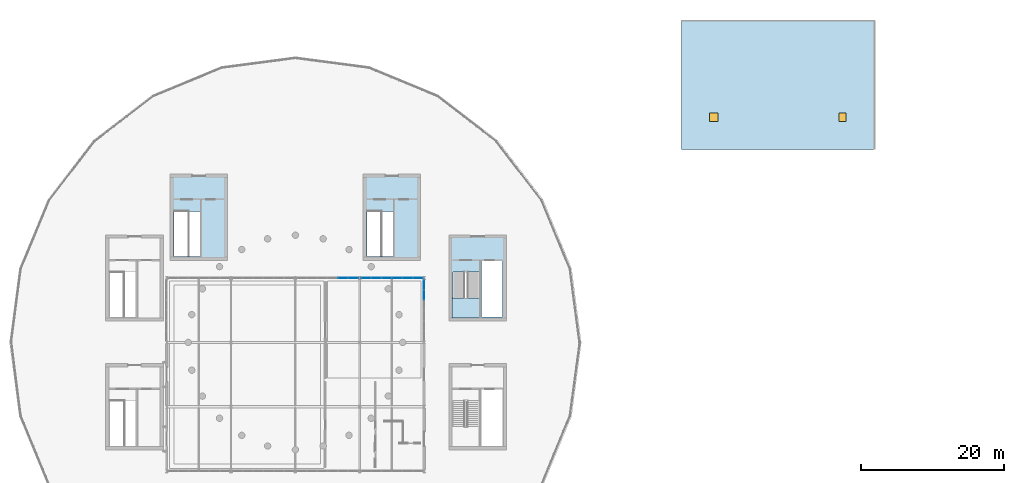
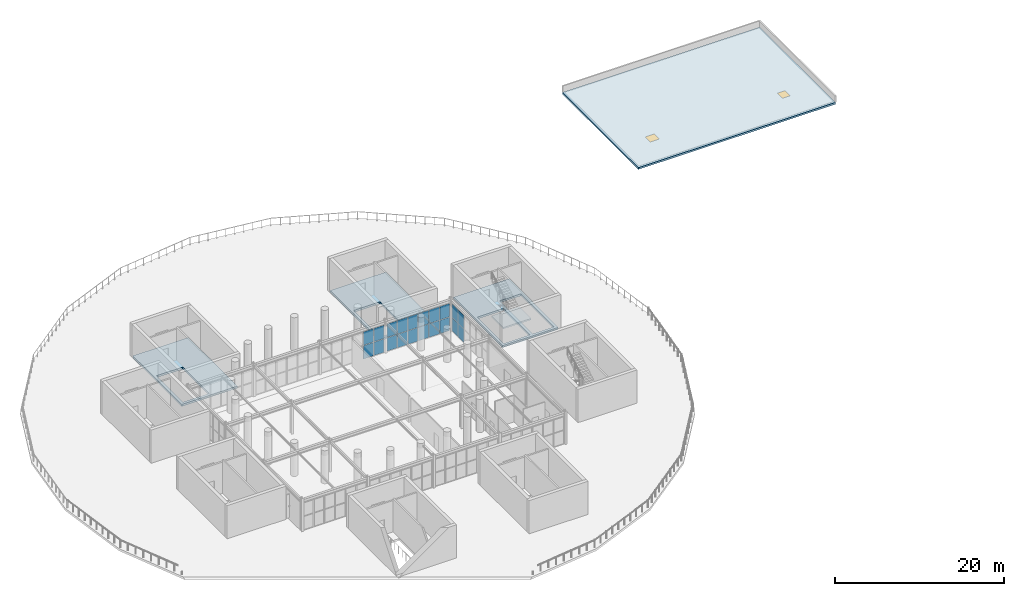
# One storey, part 19 of 29: 20 plates, 5 slabs, 2 doors, 2 openings, 4 elements without a shape of their own.
"""IFC4 building model written with IfcOpenShell, lengths in metres."""

from ifc_helpers import new_model, si_unit, direction, frame, origin, origin_2d, place, context, subcontext, project, spatial, polyline, rectangle, outline, extrude, material, layer, layer_set, type_object, element, fill, aggregate, save


model = new_model("IFC4")

# Units and contexts
model_context = context("Model", 3, precision=1e-05, world=origin(), true_north=direction((0.0, 1.0)))
body_context = subcontext(model_context, "Body", "Model", "MODEL_VIEW")
ifc_project = project(units=[si_unit("LENGTHUNIT", "METRE"), si_unit("AREAUNIT", "SQUARE_METRE"), si_unit("VOLUMEUNIT", "CUBIC_METRE"), si_unit("PLANEANGLEUNIT", "RADIAN"), si_unit("MASSUNIT", "GRAM", prefix="KILO")], contexts=[model_context])

# Site, building, storey
site_placement = place(None, origin())
site = spatial("IfcSite", under=ifc_project, at=site_placement, CompositionType="ELEMENT")
building_placement = place(site_placement, origin())
building = spatial("IfcBuilding", under=site, at=building_placement, Name="Dornveld Trade and Exhibition Forum", CompositionType="ELEMENT")
storey_placement = place(building_placement, frame((0.0, 0.0, 21.60009765625)))
storey = spatial("IfcBuildingStorey", under=building, at=storey_placement, Name="L04", CompositionType="ELEMENT", Elevation=21.60009765625)

# Curtain wall, plates
ifc_material_1 = material(Name="Dark-bronze anodised aluminium and low-E glass", Category="aluminium")
ifc_layer_1 = layer(ifc_material_1, 0.154052734375)
ifc_layer_set_1 = layer_set([ifc_layer_1], Name="Dark-bronze anodised aluminium and low-E glass")
curtain_wall_type_1 = type_object("IfcCurtainWallType", Name="CW-SYS-04", PredefinedType="USERDEFINED", material=ifc_layer_set_1)
curtain_wall_1_placement = place(storey_placement, origin())
curtain_wall_1 = element("IfcCurtainWall", 1, at=curtain_wall_1_placement, inside=storey, type_object=curtain_wall_type_1, Name="L04 unitised curtain wall 130", ObjectType="UNITISED_CURTAIN_WALL", PredefinedType="USERDEFINED")
ifc_material_2 = material(Name="Double-glazed low-E solar control glass", Category="glass")
ifc_layer_2 = layer(ifc_material_2, 0.028076171875)
ifc_layer_set_2 = layer_set([ifc_layer_2], Name="Double-glazed low-E solar control glass")
plate_type_1 = type_object("IfcPlateType", Name="CW-PNL-02", PredefinedType="CURTAIN_PANEL", material=ifc_layer_set_2)
plate_1_placement = place(storey_placement, frame((134.11328125, 90.0, 0.055908203125), z_axis=(0.0, 0.0, 1.0), x_axis=(-1.0, 0.0, 0.0)))
plate_1 = element("IfcPlate", 2, at=plate_1_placement, type_object=plate_type_1, Name="CW-04 panel 1.1", PredefinedType="CURTAIN_PANEL", context=body_context, shape_type="SweptSolid", body=[
    extrude(rectangle(XDim=1.361328125, YDim=0.028076171875, at=origin_2d()), origin(), (0.0, 0.0, 1.0), 1.94189453125),
])
plate_2_placement = place(storey_placement, frame((134.11328125, 90.0, 2.057861328125), z_axis=(0.0, 0.0, 1.0), x_axis=(-1.0, 0.0, 0.0)))
plate_2 = element("IfcPlate", 3, at=plate_2_placement, type_object=plate_type_1, Name="CW-04 panel 1.2", PredefinedType="CURTAIN_PANEL", context=body_context, shape_type="SweptSolid", body=[
    extrude(rectangle(XDim=1.361328125, YDim=0.028076171875, at=origin_2d()), origin(), (0.0, 0.0, 1.0), 1.94189453125),
])
plate_3_placement = place(storey_placement, frame((132.677001953125, 90.0, 0.055908203125), z_axis=(0.0, 0.0, 1.0), x_axis=(-1.0, 0.0, 0.0)))
plate_3 = element("IfcPlate", 4, at=plate_3_placement, type_object=plate_type_1, Name="CW-04 panel 2.1", PredefinedType="CURTAIN_PANEL", context=body_context, shape_type="SweptSolid", body=[
    extrude(rectangle(XDim=1.391357421875, YDim=0.028076171875, at=origin_2d()), origin(), (0.0, 0.0, 1.0), 1.94189453125),
])
plate_4_placement = place(storey_placement, frame((132.677001953125, 90.0, 2.057861328125), z_axis=(0.0, 0.0, 1.0), x_axis=(-1.0, 0.0, 0.0)))
plate_4 = element("IfcPlate", 5, at=plate_4_placement, type_object=plate_type_1, Name="CW-04 panel 2.2", PredefinedType="CURTAIN_PANEL", context=body_context, shape_type="SweptSolid", body=[
    extrude(rectangle(XDim=1.391357421875, YDim=0.028076171875, at=origin_2d()), origin(), (0.0, 0.0, 1.0), 1.94189453125),
])
plate_5_placement = place(storey_placement, frame((131.2255859375, 90.0, 0.055908203125), z_axis=(0.0, 0.0, 1.0), x_axis=(-1.0, 0.0, 0.0)))
plate_5 = element("IfcPlate", 6, at=plate_5_placement, type_object=plate_type_1, Name="CW-04 panel 3.1", PredefinedType="CURTAIN_PANEL", context=body_context, shape_type="SweptSolid", body=[
    extrude(rectangle(XDim=1.391357421875, YDim=0.028076171875, at=origin_2d()), origin(), (0.0, 0.0, 1.0), 1.94189453125),
])
plate_6_placement = place(storey_placement, frame((131.2255859375, 90.0, 2.057861328125), z_axis=(0.0, 0.0, 1.0), x_axis=(-1.0, 0.0, 0.0)))
plate_6 = element("IfcPlate", 7, at=plate_6_placement, type_object=plate_type_1, Name="CW-04 panel 3.2", PredefinedType="CURTAIN_PANEL", context=body_context, shape_type="SweptSolid", body=[
    extrude(rectangle(XDim=1.391357421875, YDim=0.028076171875, at=origin_2d()), origin(), (0.0, 0.0, 1.0), 1.94189453125),
])
plate_7_placement = place(storey_placement, frame((129.7744140625, 90.0, 0.055908203125), z_axis=(0.0, 0.0, 1.0), x_axis=(-1.0, 0.0, 0.0)))
plate_7 = element("IfcPlate", 8, at=plate_7_placement, type_object=plate_type_1, Name="CW-04 panel 4.1", PredefinedType="CURTAIN_PANEL", context=body_context, shape_type="SweptSolid", body=[
    extrude(rectangle(XDim=1.391357421875, YDim=0.028076171875, at=origin_2d()), origin(), (0.0, 0.0, 1.0), 1.94189453125),
])
plate_8_placement = place(storey_placement, frame((129.7744140625, 90.0, 2.057861328125), z_axis=(0.0, 0.0, 1.0), x_axis=(-1.0, 0.0, 0.0)))
plate_8 = element("IfcPlate", 9, at=plate_8_placement, type_object=plate_type_1, Name="CW-04 panel 4.2", PredefinedType="CURTAIN_PANEL", context=body_context, shape_type="SweptSolid", body=[
    extrude(rectangle(XDim=1.391357421875, YDim=0.028076171875, at=origin_2d()), origin(), (0.0, 0.0, 1.0), 1.94189453125),
])
plate_9_placement = place(storey_placement, frame((128.322998046875, 90.0, 0.055908203125), z_axis=(0.0, 0.0, 1.0), x_axis=(-1.0, 0.0, 0.0)))
plate_9 = element("IfcPlate", 10, at=plate_9_placement, type_object=plate_type_1, Name="CW-04 panel 5.1", PredefinedType="CURTAIN_PANEL", context=body_context, shape_type="SweptSolid", body=[
    extrude(rectangle(XDim=1.391357421875, YDim=0.028076171875, at=origin_2d()), origin(), (0.0, 0.0, 1.0), 1.94189453125),
])
plate_10_placement = place(storey_placement, frame((128.322998046875, 90.0, 2.057861328125), z_axis=(0.0, 0.0, 1.0), x_axis=(-1.0, 0.0, 0.0)))
plate_10 = element("IfcPlate", 11, at=plate_10_placement, type_object=plate_type_1, Name="CW-04 panel 5.2", PredefinedType="CURTAIN_PANEL", context=body_context, shape_type="SweptSolid", body=[
    extrude(rectangle(XDim=1.391357421875, YDim=0.028076171875, at=origin_2d()), origin(), (0.0, 0.0, 1.0), 1.94189453125),
])
plate_11_placement = place(storey_placement, frame((126.88671875, 90.0, 0.055908203125), z_axis=(0.0, 0.0, 1.0), x_axis=(-1.0, 0.0, 0.0)))
plate_11 = element("IfcPlate", 12, at=plate_11_placement, type_object=plate_type_1, Name="CW-04 panel 6.1", PredefinedType="CURTAIN_PANEL", context=body_context, shape_type="SweptSolid", body=[
    extrude(rectangle(XDim=1.361328125, YDim=0.028076171875, at=origin_2d()), origin(), (0.0, 0.0, 1.0), 1.94189453125),
])
plate_12_placement = place(storey_placement, frame((126.88671875, 90.0, 2.057861328125), z_axis=(0.0, 0.0, 1.0), x_axis=(-1.0, 0.0, 0.0)))
plate_12 = element("IfcPlate", 13, at=plate_12_placement, type_object=plate_type_1, Name="CW-04 panel 6.2", PredefinedType="CURTAIN_PANEL", context=body_context, shape_type="SweptSolid", body=[
    extrude(rectangle(XDim=1.361328125, YDim=0.028076171875, at=origin_2d()), origin(), (0.0, 0.0, 1.0), 1.94189453125),
])
aggregate(curtain_wall_1, [plate_1, plate_2, plate_3, plate_4, plate_5, plate_6, plate_7, plate_8, plate_9, plate_10, plate_11, plate_12])

ifc_material_3 = material(Name="Dark-bronze anodised aluminium and low-E glass", Category="aluminium")
ifc_layer_3 = layer(ifc_material_3, 0.156982421875)
ifc_layer_set_3 = layer_set([ifc_layer_3], Name="Dark-bronze anodised aluminium and low-E glass")
curtain_wall_type_2 = type_object("IfcCurtainWallType", Name="CW-SYS-05", PredefinedType="USERDEFINED", material=ifc_layer_set_3)
curtain_wall_2_placement = place(storey_placement, origin())
curtain_wall_2 = element("IfcCurtainWall", 14, at=curtain_wall_2_placement, inside=storey, type_object=curtain_wall_type_2, Name="L04 unitised curtain wall 131", ObjectType="UNITISED_CURTAIN_WALL", PredefinedType="USERDEFINED")
ifc_material_4 = material(Name="Double-glazed low-E solar control glass", Category="glass")
ifc_layer_4 = layer(ifc_material_4, 0.030029296875)
ifc_layer_set_4 = layer_set([ifc_layer_4], Name="Double-glazed low-E solar control glass")
plate_type_2 = type_object("IfcPlateType", Name="CW-PNL-03", PredefinedType="CURTAIN_PANEL", material=ifc_layer_set_4)
plate_13_placement = place(storey_placement, frame((135.0, 87.652099609375, 0.055908203125), z_axis=(0.0, 0.0, 1.0), x_axis=(0.0, 1.0, 0.0)))
plate_13 = element("IfcPlate", 15, at=plate_13_placement, type_object=plate_type_2, Name="CW-05 panel 5.1", PredefinedType="CURTAIN_PANEL", context=body_context, shape_type="SweptSolid", body=[
    extrude(rectangle(XDim=1.374755859375, YDim=0.030029296875, at=origin_2d()), origin(), (0.0, 0.0, 1.0), 1.94189453125),
])
plate_14_placement = place(storey_placement, frame((135.0, 87.652099609375, 2.057861328125), z_axis=(0.0, 0.0, 1.0), x_axis=(0.0, 1.0, 0.0)))
plate_14 = element("IfcPlate", 16, at=plate_14_placement, type_object=plate_type_2, Name="CW-05 panel 5.2", PredefinedType="CURTAIN_PANEL", context=body_context, shape_type="SweptSolid", body=[
    extrude(rectangle(XDim=1.374755859375, YDim=0.030029296875, at=origin_2d()), origin(), (0.0, 0.0, 1.0), 1.94189453125),
])
plate_15_placement = place(storey_placement, frame((135.0, 89.07177734375, 0.055908203125), z_axis=(0.0, 0.0, 1.0), x_axis=(0.0, 1.0, 0.0)))
plate_15 = element("IfcPlate", 17, at=plate_15_placement, type_object=plate_type_2, Name="CW-05 panel 6.1", PredefinedType="CURTAIN_PANEL", context=body_context, shape_type="SweptSolid", body=[
    extrude(rectangle(XDim=1.3447265625, YDim=0.030029296875, at=origin_2d()), origin(), (0.0, 0.0, 1.0), 1.94189453125),
])
plate_16_placement = place(storey_placement, frame((135.0, 89.07177734375, 2.057861328125), z_axis=(0.0, 0.0, 1.0), x_axis=(0.0, 1.0, 0.0)))
plate_16 = element("IfcPlate", 18, at=plate_16_placement, type_object=plate_type_2, Name="CW-05 panel 6.2", PredefinedType="CURTAIN_PANEL", context=body_context, shape_type="SweptSolid", body=[
    extrude(rectangle(XDim=1.3447265625, YDim=0.030029296875, at=origin_2d()), origin(), (0.0, 0.0, 1.0), 1.94189453125),
])
aggregate(curtain_wall_2, [plate_13, plate_14, plate_15, plate_16])

ifc_material_5 = material(Name="Dark-bronze anodised aluminium and low-E glass", Category="aluminium")
ifc_layer_5 = layer(ifc_material_5, 0.14794921875)
ifc_layer_set_5 = layer_set([ifc_layer_5], Name="Dark-bronze anodised aluminium and low-E glass")
curtain_wall_type_3 = type_object("IfcCurtainWallType", Name="CW-SYS-02", PredefinedType="USERDEFINED", material=ifc_layer_set_5)
curtain_wall_3_placement = place(storey_placement, origin())
curtain_wall_3 = element("IfcCurtainWall", 19, at=curtain_wall_3_placement, inside=storey, type_object=curtain_wall_type_3, Name="L04 unitised curtain wall 128", ObjectType="UNITISED_CURTAIN_WALL", PredefinedType="USERDEFINED")
ifc_material_6 = material(Name="Double-glazed low-E solar control glass", Category="glass")
ifc_layer_6 = layer(ifc_material_6, 0.0400390625)
ifc_layer_set_6 = layer_set([ifc_layer_6], Name="Double-glazed low-E solar control glass")
plate_type_3 = type_object("IfcPlateType", Name="CW-PNL-08", PredefinedType="CURTAIN_PANEL", material=ifc_layer_set_6)
plate_17_placement = place(storey_placement, frame((125.11328125, 90.0, 0.055908203125), z_axis=(0.0, 0.0, 1.0), x_axis=(-1.0, 0.0, 0.0)))
plate_17 = element("IfcPlate", 20, at=plate_17_placement, type_object=plate_type_3, Name="CW-02 panel 1.1", PredefinedType="CURTAIN_PANEL", context=body_context, shape_type="SweptSolid", body=[
    extrude(rectangle(XDim=1.361328125, YDim=0.0400390625, at=origin_2d()), origin(), (0.0, 0.0, 1.0), 1.94189453125),
])
plate_18_placement = place(storey_placement, frame((125.11328125, 90.0, 2.057861328125), z_axis=(0.0, 0.0, 1.0), x_axis=(-1.0, 0.0, 0.0)))
plate_18 = element("IfcPlate", 21, at=plate_18_placement, type_object=plate_type_3, Name="CW-02 panel 1.2", PredefinedType="CURTAIN_PANEL", context=body_context, shape_type="SweptSolid", body=[
    extrude(rectangle(XDim=1.361328125, YDim=0.0400390625, at=origin_2d()), origin(), (0.0, 0.0, 1.0), 1.94189453125),
])
plate_19_placement = place(storey_placement, frame((123.677001953125, 90.0, 0.055908203125), z_axis=(0.0, 0.0, 1.0), x_axis=(-1.0, 0.0, 0.0)))
plate_19 = element("IfcPlate", 22, at=plate_19_placement, type_object=plate_type_3, Name="CW-02 panel 2.1", PredefinedType="CURTAIN_PANEL", context=body_context, shape_type="SweptSolid", body=[
    extrude(rectangle(XDim=1.391357421875, YDim=0.0400390625, at=origin_2d()), origin(), (0.0, 0.0, 1.0), 1.94189453125),
])
plate_20_placement = place(storey_placement, frame((123.677001953125, 90.0, 2.057861328125), z_axis=(0.0, 0.0, 1.0), x_axis=(-1.0, 0.0, 0.0)))
plate_20 = element("IfcPlate", 23, at=plate_20_placement, type_object=plate_type_3, Name="CW-02 panel 2.2", PredefinedType="CURTAIN_PANEL", context=body_context, shape_type="SweptSolid", body=[
    extrude(rectangle(XDim=1.391357421875, YDim=0.0400390625, at=origin_2d()), origin(), (0.0, 0.0, 1.0), 1.94189453125),
])
aggregate(curtain_wall_3, [plate_17, plate_18, plate_19, plate_20])

# Slabs
ifc_material_7 = material(Name="Concrete C40/50", Category="concrete")
ifc_layer_7 = layer(ifc_material_7, 0.2900390625)
ifc_layer_set_7 = layer_set([ifc_layer_7], Name="Concrete C40/50")
slab_type_1 = type_object("IfcSlabType", Name="SL-DISC-290", PredefinedType="FLOOR", material=ifc_layer_set_7)
slab_1_placement = place(storey_placement, frame((0.0, 0.0, -0.2900390625)))
element("IfcSlab", 24, at=slab_1_placement, inside=storey, type_object=slab_type_1, Name="L04 CORE-01 indoor core lobby slab", PredefinedType="FLOOR", context=body_context, shape_type="SweptSolid", body=[
    extrude(outline(polyline([(138.699951171875, 84.199951171875), (146.300048828125, 84.199951171875), (146.300048828125, 95.800048828125), (138.699951171875, 95.800048828125), (138.699951171875, 84.199951171875)]), holes=[polyline([(143.0, 84.550048828125), (145.949951171875, 84.550048828125), (145.949951171875, 92.39990234375), (143.0, 92.39990234375), (143.0, 84.550048828125)]), polyline([(139.050048828125, 84.550048828125), (142.64990234375, 84.550048828125), (142.64990234375, 90.830078125), (139.050048828125, 90.830078125), (139.050048828125, 84.550048828125)])]), origin(), (0.0, 0.0, 1.0), 0.2900390625),
])
slab_2_placement = place(storey_placement, frame((0.0, 0.0, -0.2900390625)))
element("IfcSlab", 25, at=slab_2_placement, inside=storey, type_object=slab_type_1, Name="L04 CORE-02 indoor core lobby slab", PredefinedType="FLOOR", context=body_context, shape_type="SweptSolid", body=[
    extrude(outline(polyline([(126.699951171875, 92.699951171875), (134.300048828125, 92.699951171875), (134.300048828125, 104.300048828125), (126.699951171875, 104.300048828125), (126.699951171875, 92.699951171875)]), holes=[polyline([(127.050048828125, 93.050048828125), (130.64990234375, 93.050048828125), (130.64990234375, 99.330078125), (127.050048828125, 99.330078125), (127.050048828125, 93.050048828125)])]), origin(), (0.0, 0.0, 1.0), 0.2900390625),
])
slab_3_placement = place(storey_placement, frame((0.0, 0.0, -0.2900390625)))
element("IfcSlab", 26, at=slab_3_placement, inside=storey, type_object=slab_type_1, Name="L04 CORE-03 indoor core lobby slab", PredefinedType="FLOOR", context=body_context, shape_type="SweptSolid", body=[
    extrude(outline(polyline([(99.699951171875, 92.699951171875), (107.300048828125, 92.699951171875), (107.300048828125, 104.300048828125), (99.699951171875, 104.300048828125), (99.699951171875, 92.699951171875)]), holes=[polyline([(100.050048828125, 93.050048828125), (103.64990234375, 93.050048828125), (103.64990234375, 99.330078125), (100.050048828125, 99.330078125), (100.050048828125, 93.050048828125)])]), origin(), (0.0, 0.0, 1.0), 0.2900390625),
])

# Stair, slab
ifc_material_8 = material(Name="Concrete C40/50", Category="concrete")
stair_type = type_object("IfcStairType", Name="ST-2RET-480A", PredefinedType="HALF_TURN_STAIR", material=ifc_material_8)
stair_placement = place(storey_placement, origin())
stair = element("IfcStair", 27, at=stair_placement, inside=storey, type_object=stair_type, Name="CORE-01 escape stair L04 to RF", PredefinedType="HALF_TURN_STAIR")
ifc_material_9 = material(Name="Concrete C40/50", Category="concrete")
ifc_layer_8 = layer(ifc_material_9, 0.199951171875)
ifc_layer_set_8 = layer_set([ifc_layer_8], Name="Concrete C40/50")
slab_type_2 = type_object("IfcSlabType", Name="SL-LAND-200", PredefinedType="LANDING", material=ifc_layer_set_8)
slab_4_placement = place(storey_placement, frame((0.0, 0.0, 2.199951171875)))
slab_4 = element("IfcSlab", 28, at=slab_4_placement, type_object=slab_type_2, Name="ST-01-L04 landing 1", PredefinedType="LANDING", context=body_context, shape_type="SweptSolid", body=[
    extrude(outline(polyline([(138.925048828125, 84.425048828125), (142.719970703125, 84.425048828125), (142.719970703125, 87.235107421875), (138.925048828125, 87.235107421875), (138.925048828125, 84.425048828125)])), origin(), (0.0, 0.0, 1.0), 0.199951171875),
])
aggregate(stair, [slab_4])

# Slab, openings, doors
ifc_material_10 = material(Name="Concrete C40/50", Category="concrete")
ifc_layer_9 = layer(ifc_material_10, 0.25)
ifc_layer_set_9 = layer_set([ifc_layer_9], Name="Concrete C40/50")
slab_type_3 = type_object("IfcSlabType", Name="SL-ROOF-250", PredefinedType="ROOF", material=ifc_layer_set_9)
slab_5_placement = place(storey_placement, frame((0.0, 0.0, -0.25)))
slab_5 = element("IfcSlab", 29, at=slab_5_placement, inside=storey, type_object=slab_type_3, Name="North-East Wing upper flat roof slab", PredefinedType="ROOF", context=body_context, shape_type="SweptSolid", body=[
    extrude(outline(polyline([(171.0, 108.0), (198.0, 108.0), (198.0, 126.0), (171.0, 126.0), (171.0, 108.0)]), holes=[polyline([(174.89990234375, 111.89990234375), (176.10009765625, 111.89990234375), (176.10009765625, 113.10009765625), (174.89990234375, 113.10009765625), (174.89990234375, 111.89990234375)]), polyline([(193.0, 111.89990234375), (194.0, 111.89990234375), (194.0, 113.10009765625), (193.0, 113.10009765625), (193.0, 111.89990234375)])]), origin(), (0.0, 0.0, 1.0), 0.25),
])
opening_1_placement = place(slab_5_placement, frame((175.5, 112.5, 0.0)))
opening_1 = element("IfcOpeningElement", 30, at=opening_1_placement, cuts=slab_5, Name="Opening RH-04", PredefinedType="OPENING", context=body_context, shape_type="SweptSolid", body=[
    extrude(rectangle(XDim=1.199951171875, YDim=1.199951171875, at=origin_2d()), origin(), (0.0, 0.0, 1.0), 0.25),
])
opening_2_placement = place(slab_5_placement, frame((193.5, 112.5, 0.0)))
opening_2 = element("IfcOpeningElement", 31, at=opening_2_placement, cuts=slab_5, Name="Opening RH-05", PredefinedType="OPENING", context=body_context, shape_type="SweptSolid", body=[
    extrude(rectangle(XDim=1.0, YDim=1.199951171875, at=origin_2d()), origin(), (0.0, 0.0, 1.0), 0.25),
])
ifc_material_11 = material(Name="Galvanised insulated steel", Category="steel")
door_type_1 = type_object("IfcDoorType", Name="DR-HATCH-100", OperationType="NOTDEFINED", PredefinedType="TRAPDOOR", material=ifc_material_11)
door_1_placement = place(opening_2_placement, frame((0.0, 0.0, 0.199951171875)))
door_1 = element("IfcDoor", 32, at=door_1_placement, inside=storey, type_object=door_type_1, Name="L04 roof maintenance access hatch 5", OperationType="SINGLE_SWING_LEFT", OverallHeight=1.199951171875, OverallWidth=1.0, PredefinedType="TRAPDOOR", context=body_context, shape_type="SweptSolid", body=[
    extrude(rectangle(XDim=1.0, YDim=1.199951171875, at=origin_2d()), origin(), (0.0, 0.0, 1.0), 0.050048828125),
])
fill(opening_2, door_1)
ifc_material_12 = material(Name="Galvanised insulated steel", Category="steel")
door_type_2 = type_object("IfcDoorType", Name="DR-HATCH-120", OperationType="NOTDEFINED", PredefinedType="TRAPDOOR", material=ifc_material_12)
door_2_placement = place(opening_1_placement, frame((0.0, 0.0, 0.199951171875)))
door_2 = element("IfcDoor", 33, at=door_2_placement, inside=storey, type_object=door_type_2, Name="L04 roof maintenance access hatch 4", OperationType="SINGLE_SWING_LEFT", OverallHeight=1.199951171875, OverallWidth=1.199951171875, PredefinedType="TRAPDOOR", context=body_context, shape_type="SweptSolid", body=[
    extrude(rectangle(XDim=1.199951171875, YDim=1.199951171875, at=origin_2d()), origin(), (0.0, 0.0, 1.0), 0.050048828125),
])
fill(opening_1, door_2)

save(model, "model.ifc")
